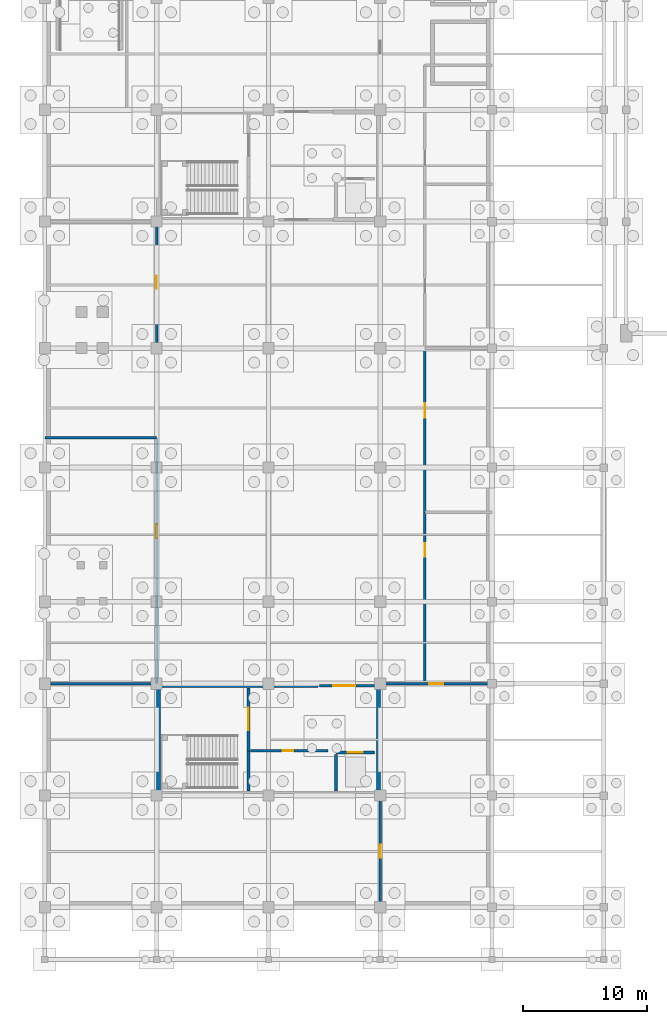
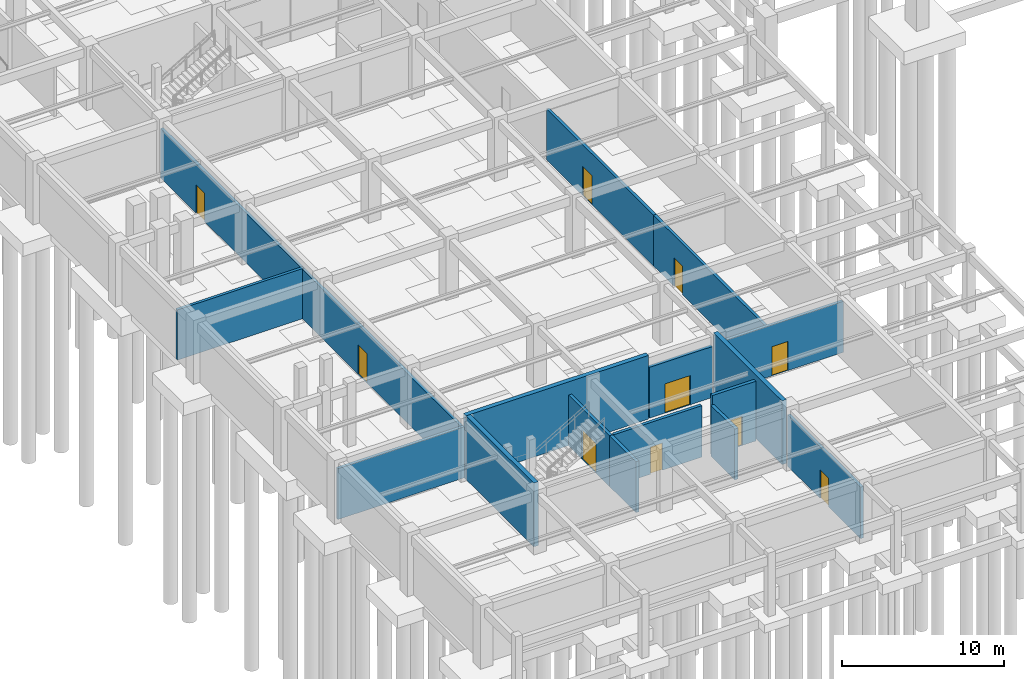
# One storey, part 22 of 33: 17 walls, 10 doors, 10 openings.
"""IFC4 building model written with IfcOpenShell, lengths in metres."""

from ifc_helpers import new_model, si_unit, direction, frame, frame_2d, origin, place, context, subcontext, project, spatial, rectangle, extrude, material, layer, layer_set, type_object, element, fill, save


model = new_model("IFC4")

# Units and contexts
model_context = context("Model", 3, precision=1e-05, world=origin(), true_north=direction((0.0, 1.0)))
body_context = subcontext(model_context, "Body", "Model", "MODEL_VIEW")
ifc_project = project(units=[si_unit("LENGTHUNIT", "METRE"), si_unit("AREAUNIT", "SQUARE_METRE"), si_unit("VOLUMEUNIT", "CUBIC_METRE"), si_unit("PLANEANGLEUNIT", "RADIAN"), si_unit("MASSUNIT", "GRAM", prefix="KILO")], contexts=[model_context])

# Site, building, storey
site_placement = place(None, origin())
site = spatial("IfcSite", under=ifc_project, at=site_placement, CompositionType="ELEMENT")
building_placement = place(site_placement, origin())
building = spatial("IfcBuilding", under=site, at=building_placement, Name="Suirenkawa Promenade Aquatics Centre", CompositionType="ELEMENT")
storey_placement = place(building_placement, frame((0.0, 0.0, -4.800048828125)))
storey = spatial("IfcBuildingStorey", under=building, at=storey_placement, Name="B1", CompositionType="ELEMENT", Elevation=-4.800048828125)

# Wall, opening, door
ifc_material_1 = material(Name="Autoclaved aerated concrete blockwork Grade 1", Category="masonry")
ifc_layer_1 = layer(ifc_material_1, 0.199951171875, Name="Autoclaved aerated concrete blockwork Grade 1", Category="masonry")
ifc_layer_set_1 = layer_set([ifc_layer_1], Name="Autoclaved aerated concrete blockwork Grade 1")
wall_type_1 = type_object("IfcWallType", Name="WT-COMP-200", PredefinedType="PARTITIONING", material=ifc_layer_set_1)
wall_1_placement = place(storey_placement, frame((27.0, 4.199951171875, 0.0), z_axis=(0.0, 0.0, 1.0), x_axis=(0.0, 1.0, 0.0)))
wall_1 = element("IfcWall", 1, at=wall_1_placement, inside=storey, type_object=wall_type_1, Name="Interior wall WL-PRT-01 W-7182", PredefinedType="PARTITIONING", context=body_context, shape_type="SweptSolid", body=[
    extrude(rectangle(XDim=9.0, YDim=0.199951171875, at=frame_2d((4.5, 0.0))), origin(), (0.0, 0.0, 1.0), 3.885009765625),
])
opening_1_placement = place(wall_1_placement, frame((3.97509765625, 0.0, 0.0)))
opening_1 = element("IfcOpeningElement", 2, at=opening_1_placement, cuts=wall_1, Name="Opening ID-04", PredefinedType="OPENING", context=body_context, shape_type="SweptSolid", body=[
    extrude(rectangle(XDim=1.050048828125, YDim=2.14990234375, at=frame_2d((0.52490234375, 1.074951171875))), frame((0.0, 0.10986328125, 0.0), z_axis=(0.0, -1.0, 0.0), x_axis=(1.0, 0.0, 0.0)), (0.0, 0.0, 1.0), 0.219970703125),
])
ifc_material_2 = material(Name="Steel IS 2062 E350 (Grade 350)", Category="steel")
door_type_1 = type_object("IfcDoorType", Name="DT-FD120-1050x2150", OperationType="NOTDEFINED", PredefinedType="DOOR", material=ifc_material_2)
door_1_placement = place(opening_1_placement, origin())
door_1 = element("IfcDoor", 3, at=door_1_placement, inside=storey, type_object=door_type_1, Name="Interior door ID-04 DR-INT-0118", OperationType="SINGLE_SWING_LEFT", OverallHeight=2.14990234375, OverallWidth=1.050048828125, PredefinedType="DOOR", context=body_context, shape_type="SweptSolid", body=[
    extrude(rectangle(XDim=1.050048828125, YDim=2.14990234375, at=frame_2d((0.52490234375, 1.074951171875))), frame((0.0, 0.02490234375, 0.0), z_axis=(0.0, -1.0, 0.0), x_axis=(1.0, 0.0, 0.0)), (0.0, 0.0, 1.0), 0.050048828125),
])
fill(opening_1, door_1)

wall_2_placement = place(storey_placement, frame((27.0, 22.199951171875, 0.0), z_axis=(0.0, 0.0, 1.0), x_axis=(1.0, 0.0, 0.0)))
wall_2 = element("IfcWall", 4, at=wall_2_placement, inside=storey, type_object=wall_type_1, Name="Interior wall WL-PRT-01 W-7183", PredefinedType="PARTITIONING", context=body_context, shape_type="SweptSolid", body=[
    extrude(rectangle(XDim=9.0, YDim=0.199951171875, at=frame_2d((4.5, 0.0))), origin(), (0.0, 0.0, 1.0), 3.8349609375),
])
opening_2_placement = place(wall_2_placement, frame((3.925048828125, 0.0, 0.0)))
opening_2 = element("IfcOpeningElement", 5, at=opening_2_placement, cuts=wall_2, Name="Opening ID-03", PredefinedType="OPENING", context=body_context, shape_type="SweptSolid", body=[
    extrude(rectangle(XDim=1.14990234375, YDim=2.199951171875, at=frame_2d((0.574951171875, 1.10009765625))), frame((0.0, 0.10986328125, 0.0), z_axis=(0.0, -1.0, 0.0), x_axis=(1.0, 0.0, 0.0)), (0.0, 0.0, 1.0), 0.219970703125),
])
door_type_2 = type_object("IfcDoorType", Name="DT-FD120-1150x2200", OperationType="NOTDEFINED", PredefinedType="DOOR", material=ifc_material_2)
door_2_placement = place(opening_2_placement, origin())
door_2 = element("IfcDoor", 6, at=door_2_placement, inside=storey, type_object=door_type_2, Name="Interior door ID-03 DR-INT-0119", OperationType="SINGLE_SWING_RIGHT", OverallHeight=2.199951171875, OverallWidth=1.14990234375, PredefinedType="DOOR", context=body_context, shape_type="SweptSolid", body=[
    extrude(rectangle(XDim=1.14990234375, YDim=2.199951171875, at=frame_2d((0.574951171875, 1.10009765625))), frame((0.0, 0.02490234375, 0.0), z_axis=(0.0, -1.0, 0.0), x_axis=(1.0, 0.0, 0.0)), (0.0, 0.0, 1.0), 0.050048828125),
])
fill(opening_2, door_2)

wall_3_placement = place(storey_placement, frame((9.0, 22.199951171875, 0.0), z_axis=(0.0, 0.0, 1.0), x_axis=(0.0, 1.0, 0.0)))
wall_3 = element("IfcWall", 7, at=wall_3_placement, inside=storey, type_object=wall_type_1, Name="Interior wall WL-PRT-01 W-7184", PredefinedType="PARTITIONING", context=body_context, shape_type="SweptSolid", body=[
    extrude(rectangle(XDim=19.800048828125, YDim=0.199951171875, at=frame_2d((9.89990234375, 0.0))), origin(), (0.0, 0.0, 1.0), 3.735107421875),
])
opening_3_placement = place(wall_3_placement, frame((11.700927734375, 0.0, 0.0)))
opening_3 = element("IfcOpeningElement", 8, at=opening_3_placement, cuts=wall_3, Name="Opening ID-03", PredefinedType="OPENING", context=body_context, shape_type="SweptSolid", body=[
    extrude(rectangle(XDim=1.14990234375, YDim=2.199951171875, at=frame_2d((0.574951171875, 1.10009765625))), frame((0.0, 0.10986328125, 0.0), z_axis=(0.0, -1.0, 0.0), x_axis=(1.0, 0.0, 0.0)), (0.0, 0.0, 1.0), 0.219970703125),
])
door_3_placement = place(opening_3_placement, origin())
door_3 = element("IfcDoor", 9, at=door_3_placement, inside=storey, type_object=door_type_2, Name="Interior door ID-03 DR-INT-0120", OperationType="SINGLE_SWING_LEFT", OverallHeight=2.199951171875, OverallWidth=1.14990234375, PredefinedType="DOOR", context=body_context, shape_type="SweptSolid", body=[
    extrude(rectangle(XDim=1.14990234375, YDim=2.199951171875, at=frame_2d((0.574951171875, 1.10009765625))), frame((0.0, 0.02490234375, 0.0), z_axis=(0.0, -1.0, 0.0), x_axis=(1.0, 0.0, 0.0)), (0.0, 0.0, 1.0), 0.050048828125),
])
fill(opening_3, door_3)

# Walls
wall_4_placement = place(storey_placement, frame((0.0, 22.199951171875, 0.0), z_axis=(0.0, 0.0, 1.0), x_axis=(1.0, 0.0, 0.0)))
element("IfcWall", 10, at=wall_4_placement, inside=storey, type_object=wall_type_1, Name="Interior wall WL-PRT-01 W-7185", PredefinedType="PARTITIONING", context=body_context, shape_type="SweptSolid", body=[
    extrude(rectangle(XDim=9.0, YDim=0.199951171875, at=frame_2d((4.5, 0.0))), origin(), (0.0, 0.0, 1.0), 3.8349609375),
])
wall_5_placement = place(storey_placement, frame((0.0, 42.0, 0.0), z_axis=(0.0, 0.0, 1.0), x_axis=(1.0, 0.0, 0.0)))
element("IfcWall", 11, at=wall_5_placement, inside=storey, type_object=wall_type_1, Name="Interior wall WL-PRT-01 W-7186", PredefinedType="PARTITIONING", context=body_context, shape_type="SweptSolid", body=[
    extrude(rectangle(XDim=9.0, YDim=0.199951171875, at=frame_2d((4.5, 0.0))), origin(), (0.0, 0.0, 1.0), 3.78515625),
])

# Wall, opening, door
wall_6_placement = place(storey_placement, frame((9.0, 42.0, 0.0), z_axis=(0.0, 0.0, 1.0), x_axis=(0.0, 1.0, 0.0)))
wall_6 = element("IfcWall", 12, at=wall_6_placement, inside=storey, type_object=wall_type_1, Name="Interior wall WL-PRT-01 W-7187", PredefinedType="PARTITIONING", context=body_context, shape_type="SweptSolid", body=[
    extrude(rectangle(XDim=17.39990234375, YDim=0.199951171875, at=frame_2d((8.699951171875, 0.0))), origin(), (0.0, 0.0, 1.0), 3.735107421875),
])
opening_4_placement = place(wall_6_placement, frame((12.0029296875, 0.0, 0.0)))
opening_4 = element("IfcOpeningElement", 13, at=opening_4_placement, cuts=wall_6, Name="Opening ID-04", PredefinedType="OPENING", context=body_context, shape_type="SweptSolid", body=[
    extrude(rectangle(XDim=1.050048828125, YDim=2.14990234375, at=frame_2d((0.52490234375, 1.074951171875))), frame((0.0, 0.10986328125, 0.0), z_axis=(0.0, -1.0, 0.0), x_axis=(1.0, 0.0, 0.0)), (0.0, 0.0, 1.0), 0.219970703125),
])
door_4_placement = place(opening_4_placement, origin())
door_4 = element("IfcDoor", 14, at=door_4_placement, inside=storey, type_object=door_type_1, Name="Interior door ID-04 DR-INT-0121", OperationType="SINGLE_SWING_RIGHT", OverallHeight=2.14990234375, OverallWidth=1.050048828125, PredefinedType="DOOR", context=body_context, shape_type="SweptSolid", body=[
    extrude(rectangle(XDim=1.050048828125, YDim=2.14990234375, at=frame_2d((0.52490234375, 1.074951171875))), frame((0.0, 0.02490234375, 0.0), z_axis=(0.0, -1.0, 0.0), x_axis=(1.0, 0.0, 0.0)), (0.0, 0.0, 1.0), 0.050048828125),
])
fill(opening_4, door_4)

wall_7_placement = place(storey_placement, frame((30.60009765625, 22.199951171875, 0.0), z_axis=(0.0, 0.0, 1.0), x_axis=(0.0, 1.0, 0.0)))
wall_7 = element("IfcWall", 15, at=wall_7_placement, inside=storey, type_object=wall_type_1, Name="Interior wall WL-PRT-01 W-7189", PredefinedType="PARTITIONING", context=body_context, shape_type="SweptSolid", body=[
    extrude(rectangle(XDim=13.800048828125, YDim=0.199951171875, at=frame_2d((6.89990234375, 0.0))), origin(), (0.0, 0.0, 1.0), 3.8349609375),
])
opening_5_placement = place(wall_7_placement, frame((10.239013671875, 0.0, 0.0)))
opening_5 = element("IfcOpeningElement", 16, at=opening_5_placement, cuts=wall_7, Name="Opening ID-04", PredefinedType="OPENING", context=body_context, shape_type="SweptSolid", body=[
    extrude(rectangle(XDim=1.050048828125, YDim=2.14990234375, at=frame_2d((0.52490234375, 1.074951171875))), frame((0.0, 0.10986328125, 0.0), z_axis=(0.0, -1.0, 0.0), x_axis=(1.0, 0.0, 0.0)), (0.0, 0.0, 1.0), 0.219970703125),
])
door_5_placement = place(opening_5_placement, origin())
door_5 = element("IfcDoor", 17, at=door_5_placement, inside=storey, type_object=door_type_1, Name="Interior door ID-04 DR-INT-0122", OperationType="SINGLE_SWING_LEFT", OverallHeight=2.14990234375, OverallWidth=1.050048828125, PredefinedType="DOOR", context=body_context, shape_type="SweptSolid", body=[
    extrude(rectangle(XDim=1.050048828125, YDim=2.14990234375, at=frame_2d((0.52490234375, 1.074951171875))), frame((0.0, 0.02490234375, 0.0), z_axis=(0.0, -1.0, 0.0), x_axis=(1.0, 0.0, 0.0)), (0.0, 0.0, 1.0), 0.050048828125),
])
fill(opening_5, door_5)

wall_8_placement = place(storey_placement, frame((30.60009765625, 36.0, 0.0), z_axis=(0.0, 0.0, 1.0), x_axis=(0.0, 1.0, 0.0)))
wall_8 = element("IfcWall", 18, at=wall_8_placement, inside=storey, type_object=wall_type_1, Name="Interior wall WL-PRT-01 W-7191", PredefinedType="PARTITIONING", context=body_context, shape_type="SweptSolid", body=[
    extrude(rectangle(XDim=13.199951171875, YDim=0.199951171875, at=frame_2d((6.60009765625, 0.0))), origin(), (0.0, 0.0, 1.0), 3.8349609375),
])
opening_6_placement = place(wall_8_placement, frame((7.60888671875, 0.0, 0.0)))
opening_6 = element("IfcOpeningElement", 19, at=opening_6_placement, cuts=wall_8, Name="Opening ID-03", PredefinedType="OPENING", context=body_context, shape_type="SweptSolid", body=[
    extrude(rectangle(XDim=1.14990234375, YDim=2.199951171875, at=frame_2d((0.574951171875, 1.10009765625))), frame((0.0, 0.10986328125, 0.0), z_axis=(0.0, -1.0, 0.0), x_axis=(1.0, 0.0, 0.0)), (0.0, 0.0, 1.0), 0.219970703125),
])
door_6_placement = place(opening_6_placement, origin())
door_6 = element("IfcDoor", 20, at=door_6_placement, inside=storey, type_object=door_type_2, Name="Interior door ID-03 DR-INT-0123", OperationType="SINGLE_SWING_RIGHT", OverallHeight=2.199951171875, OverallWidth=1.14990234375, PredefinedType="DOOR", context=body_context, shape_type="SweptSolid", body=[
    extrude(rectangle(XDim=1.14990234375, YDim=2.199951171875, at=frame_2d((0.574951171875, 1.10009765625))), frame((0.0, 0.02490234375, 0.0), z_axis=(0.0, -1.0, 0.0), x_axis=(1.0, 0.0, 0.0)), (0.0, 0.0, 1.0), 0.050048828125),
])
fill(opening_6, door_6)

# Walls
ifc_material_3 = material(Name="Concrete M40", Category="concrete")
ifc_layer_2 = layer(ifc_material_3, 0.320068359375, Name="Concrete M40", Category="concrete")
ifc_layer_set_2 = layer_set([ifc_layer_2], Name="Concrete M40")
wall_type_2 = type_object("IfcWallType", Name="WT-CORE-320", PredefinedType="SHEAR", material=ifc_layer_set_2)
wall_9_placement = place(storey_placement, frame((9.0, 22.0400390625, 0.0), z_axis=(0.0, 0.0, 1.0), x_axis=(1.0, 0.0, 0.0)))
element("IfcWall", 21, at=wall_9_placement, inside=storey, type_object=wall_type_2, Name="C1 north core wall WL-CORE-01 W-0050", PredefinedType="SHEAR", context=body_context, shape_type="SweptSolid", body=[
    extrude(rectangle(XDim=13.0, YDim=0.320068359375, at=frame_2d((6.5, 0.0))), origin(), (0.0, 0.0, 1.0), 4.800048828125),
])
wall_10_placement = place(storey_placement, frame((9.159912109375, 13.52001953125, 0.0), z_axis=(0.0, 0.0, 1.0), x_axis=(0.0, 1.0, 0.0)))
element("IfcWall", 22, at=wall_10_placement, inside=storey, type_object=wall_type_2, Name="C1 west core wall WL-CORE-01 W-0051", PredefinedType="SHEAR", context=body_context, shape_type="SweptSolid", body=[
    extrude(rectangle(XDim=8.35986328125, YDim=0.320068359375, at=frame_2d((4.179931640625, 0.0))), origin(), (0.0, 0.0, 1.0), 4.800048828125),
])
wall_11_placement = place(storey_placement, frame((26.840087890625, 13.52001953125, 0.0), z_axis=(0.0, 0.0, 1.0), x_axis=(0.0, 1.0, 0.0)))
element("IfcWall", 23, at=wall_11_placement, inside=storey, type_object=wall_type_2, Name="C1 east core wall WL-CORE-01 W-0052", PredefinedType="SHEAR", context=body_context, shape_type="SweptSolid", body=[
    extrude(rectangle(XDim=8.47998046875, YDim=0.320068359375, at=frame_2d((4.239990234375, 0.0))), origin(), (0.0, 0.0, 1.0), 4.800048828125),
])

# Wall, opening, door
ifc_material_4 = material(Name="Concrete M35", Category="concrete")
ifc_layer_3 = layer(ifc_material_4, 0.219970703125, Name="Concrete M35", Category="concrete")
ifc_layer_set_3 = layer_set([ifc_layer_3], Name="Concrete M35")
wall_type_3 = type_object("IfcWallType", Name="WT-LOBBY-220", PredefinedType="PARTITIONING", material=ifc_layer_set_3)
wall_12_placement = place(storey_placement, frame((16.39990234375, 21.85009765625, 0.0), z_axis=(0.0, 0.0, 1.0), x_axis=(0.0, -1.0, 0.0)))
wall_12 = element("IfcWall", 24, at=wall_12_placement, inside=storey, type_object=wall_type_3, Name="Interior wall WL-LOB-01 W-7001", PredefinedType="PARTITIONING", context=body_context, shape_type="SweptSolid", body=[
    extrude(rectangle(XDim=5.050048828125, YDim=0.219970703125, at=frame_2d((2.52490234375, 0.0))), origin(), (0.0, 0.0, 1.0), 3.8349609375),
])
opening_7_placement = place(wall_12_placement, frame((1.60009765625, 0.0, 0.0)))
opening_7 = element("IfcOpeningElement", 25, at=opening_7_placement, cuts=wall_12, Name="Opening ID-02", PredefinedType="OPENING", context=body_context, shape_type="SweptSolid", body=[
    extrude(rectangle(XDim=1.800048828125, YDim=2.199951171875, at=frame_2d((0.89990234375, 1.10009765625))), frame((0.0, 0.119873046875, 0.0), z_axis=(0.0, -1.0, 0.0), x_axis=(1.0, 0.0, 0.0)), (0.0, 0.0, 1.0), 0.239990234375),
])
door_type_3 = type_object("IfcDoorType", Name="DT-FD120-1800x2200", OperationType="DOUBLE_DOOR_SINGLE_SWING", PredefinedType="DOOR", material=ifc_material_2)
door_7_placement = place(opening_7_placement, origin())
door_7 = element("IfcDoor", 26, at=door_7_placement, inside=storey, type_object=door_type_3, Name="Interior door ID-02 DR-INT-0001", OperationType="DOUBLE_DOOR_SINGLE_SWING", OverallHeight=2.199951171875, OverallWidth=1.800048828125, PredefinedType="DOOR", context=body_context, shape_type="SweptSolid", body=[
    extrude(rectangle(XDim=1.800048828125, YDim=2.199951171875, at=frame_2d((0.89990234375, 1.10009765625))), frame((0.0, 0.02490234375, 0.0), z_axis=(0.0, -1.0, 0.0), x_axis=(1.0, 0.0, 0.0)), (0.0, 0.0, 1.0), 0.050048828125),
])
fill(opening_7, door_7)

# Wall
wall_13_placement = place(storey_placement, frame((16.39990234375, 13.550048828125, 0.0), z_axis=(0.0, 0.0, 1.0), x_axis=(0.0, 1.0, 0.0)))
element("IfcWall", 27, at=wall_13_placement, inside=storey, type_object=wall_type_3, Name="Interior wall WL-LOB-01 W-7002", PredefinedType="PARTITIONING", context=body_context, shape_type="SweptSolid", body=[
    extrude(rectangle(XDim=3.25, YDim=0.219970703125, at=frame_2d((1.625, 0.0))), origin(), (0.0, 0.0, 1.0), 3.8349609375),
])

# Wall, opening, door
wall_14_placement = place(storey_placement, frame((16.550048828125, 16.800048828125, 0.0), z_axis=(0.0, 0.0, 1.0), x_axis=(1.0, 0.0, 0.0)))
wall_14 = element("IfcWall", 28, at=wall_14_placement, inside=storey, type_object=wall_type_3, Name="Interior wall WL-LOB-01 W-7003", PredefinedType="PARTITIONING", context=body_context, shape_type="SweptSolid", body=[
    extrude(rectangle(XDim=6.25, YDim=0.219970703125, at=frame_2d((3.125, 0.0))), origin(), (0.0, 0.0, 1.0), 3.885009765625),
])
opening_8_placement = place(wall_14_placement, frame((2.60009765625, 0.0, 0.0)))
opening_8 = element("IfcOpeningElement", 29, at=opening_8_placement, cuts=wall_14, Name="Opening ID-13", PredefinedType="OPENING", context=body_context, shape_type="SweptSolid", body=[
    extrude(rectangle(XDim=0.85009765625, YDim=2.050048828125, at=frame_2d((0.425048828125, 1.02490234375))), frame((0.0, 0.119873046875, 0.0), z_axis=(0.0, -1.0, 0.0), x_axis=(1.0, 0.0, 0.0)), (0.0, 0.0, 1.0), 0.239990234375),
])
door_type_4 = type_object("IfcDoorType", Name="DT-RISER-850x2050", OperationType="NOTDEFINED", PredefinedType="DOOR", material=ifc_material_2)
door_8_placement = place(opening_8_placement, origin())
door_8 = element("IfcDoor", 30, at=door_8_placement, inside=storey, type_object=door_type_4, Name="Interior door ID-13 DR-INT-0002", OperationType="SINGLE_SWING_LEFT", OverallHeight=2.050048828125, OverallWidth=0.85009765625, PredefinedType="DOOR", context=body_context, shape_type="SweptSolid", body=[
    extrude(rectangle(XDim=0.85009765625, YDim=2.050048828125, at=frame_2d((0.425048828125, 1.02490234375))), frame((0.0, 0.02490234375, 0.0), z_axis=(0.0, -1.0, 0.0), x_axis=(1.0, 0.0, 0.0)), (0.0, 0.0, 1.0), 0.050048828125),
])
fill(opening_8, door_8)

wall_15_placement = place(storey_placement, frame((22.10009765625, 22.0400390625, 0.0), z_axis=(0.0, 0.0, 1.0), x_axis=(1.0, 0.0, 0.0)))
wall_15 = element("IfcWall", 31, at=wall_15_placement, inside=storey, type_object=wall_type_3, Name="Interior wall WL-LOB-01 W-7006", PredefinedType="PARTITIONING", context=body_context, shape_type="SweptSolid", body=[
    extrude(rectangle(XDim=4.5, YDim=0.219970703125, at=frame_2d((2.25, 0.0))), origin(), (0.0, 0.0, 1.0), 3.8349609375),
])
opening_9_placement = place(wall_15_placement, frame((1.10009765625, 0.0, 0.0)))
opening_9 = element("IfcOpeningElement", 32, at=opening_9_placement, cuts=wall_15, Name="Opening ID-02", PredefinedType="OPENING", context=body_context, shape_type="SweptSolid", body=[
    extrude(rectangle(XDim=1.800048828125, YDim=2.199951171875, at=frame_2d((0.89990234375, 1.10009765625))), frame((0.0, 0.119873046875, 0.0), z_axis=(0.0, -1.0, 0.0), x_axis=(1.0, 0.0, 0.0)), (0.0, 0.0, 1.0), 0.239990234375),
])
door_9_placement = place(opening_9_placement, origin())
door_9 = element("IfcDoor", 33, at=door_9_placement, inside=storey, type_object=door_type_3, Name="Interior door ID-02 DR-INT-0004", OperationType="DOUBLE_DOOR_SINGLE_SWING", OverallHeight=2.199951171875, OverallWidth=1.800048828125, PredefinedType="DOOR", context=body_context, shape_type="SweptSolid", body=[
    extrude(rectangle(XDim=1.800048828125, YDim=2.199951171875, at=frame_2d((0.89990234375, 1.10009765625))), frame((0.0, 0.02490234375, 0.0), z_axis=(0.0, -1.0, 0.0), x_axis=(1.0, 0.0, 0.0)), (0.0, 0.0, 1.0), 0.050048828125),
])
fill(opening_9, door_9)

ifc_layer_4 = layer(ifc_material_3, 0.239990234375, Name="Concrete M40", Category="concrete")
ifc_layer_set_4 = layer_set([ifc_layer_4], Name="Concrete M40")
wall_type_4 = type_object("IfcWallType", Name="WT-SHAFT-240", PredefinedType="SOLIDWALL", material=ifc_layer_set_4)
wall_16_placement = place(storey_placement, frame((23.449951171875, 16.64990234375, 0.0), z_axis=(0.0, 0.0, 1.0), x_axis=(1.0, 0.0, 0.0)))
wall_16 = element("IfcWall", 34, at=wall_16_placement, inside=storey, type_object=wall_type_4, Name="Interior wall WL-SHF-01 W-7004", PredefinedType="SOLIDWALL", context=body_context, shape_type="SweptSolid", body=[
    extrude(rectangle(XDim=3.10009765625, YDim=0.239990234375, at=frame_2d((1.550048828125, 0.0))), origin(), (0.0, 0.0, 1.0), 4.505126953125),
])
opening_10_placement = place(wall_16_placement, frame((0.949951171875, 0.0, 0.0)))
opening_10 = element("IfcOpeningElement", 35, at=opening_10_placement, cuts=wall_16, Name="Opening LD-02", PredefinedType="OPENING", context=body_context, shape_type="SweptSolid", body=[
    extrude(rectangle(XDim=1.199951171875, YDim=2.199951171875, at=frame_2d((0.60009765625, 1.10009765625))), frame((0.0, 0.1298828125, 0.0), z_axis=(0.0, -1.0, 0.0), x_axis=(1.0, 0.0, 0.0)), (0.0, 0.0, 1.0), 0.260009765625),
])
ifc_material_5 = material(Name="Marine-grade stainless steel Grade 316L", Category="steel")
door_type_5 = type_object("IfcDoorType", Name="DT-LIFT-1200x2200", OperationType="DOUBLE_DOOR_SLIDING", PredefinedType="DOOR", material=ifc_material_5)
door_10_placement = place(opening_10_placement, origin())
door_10 = element("IfcDoor", 36, at=door_10_placement, inside=storey, type_object=door_type_5, Name="Landing door LD-02 DR-INT-0003", OperationType="DOUBLE_DOOR_SLIDING", OverallHeight=2.199951171875, OverallWidth=1.199951171875, PredefinedType="DOOR", context=body_context, shape_type="SweptSolid", body=[
    extrude(rectangle(XDim=1.199951171875, YDim=2.199951171875, at=frame_2d((0.60009765625, 1.10009765625))), frame((0.0, 0.02490234375, 0.0), z_axis=(0.0, -1.0, 0.0), x_axis=(1.0, 0.0, 0.0)), (0.0, 0.0, 1.0), 0.050048828125),
])
fill(opening_10, door_10)

# Wall
wall_17_placement = place(storey_placement, frame((23.449951171875, 13.550048828125, 0.0), z_axis=(0.0, 0.0, 1.0), x_axis=(0.0, 1.0, 0.0)))
element("IfcWall", 37, at=wall_17_placement, inside=storey, type_object=wall_type_4, Name="Interior wall WL-SHF-01 W-7005", PredefinedType="SOLIDWALL", context=body_context, shape_type="SweptSolid", body=[
    extrude(rectangle(XDim=2.949951171875, YDim=0.239990234375, at=frame_2d((1.47509765625, 0.0))), origin(), (0.0, 0.0, 1.0), 3.8349609375),
])

save(model, "model.ifc")
